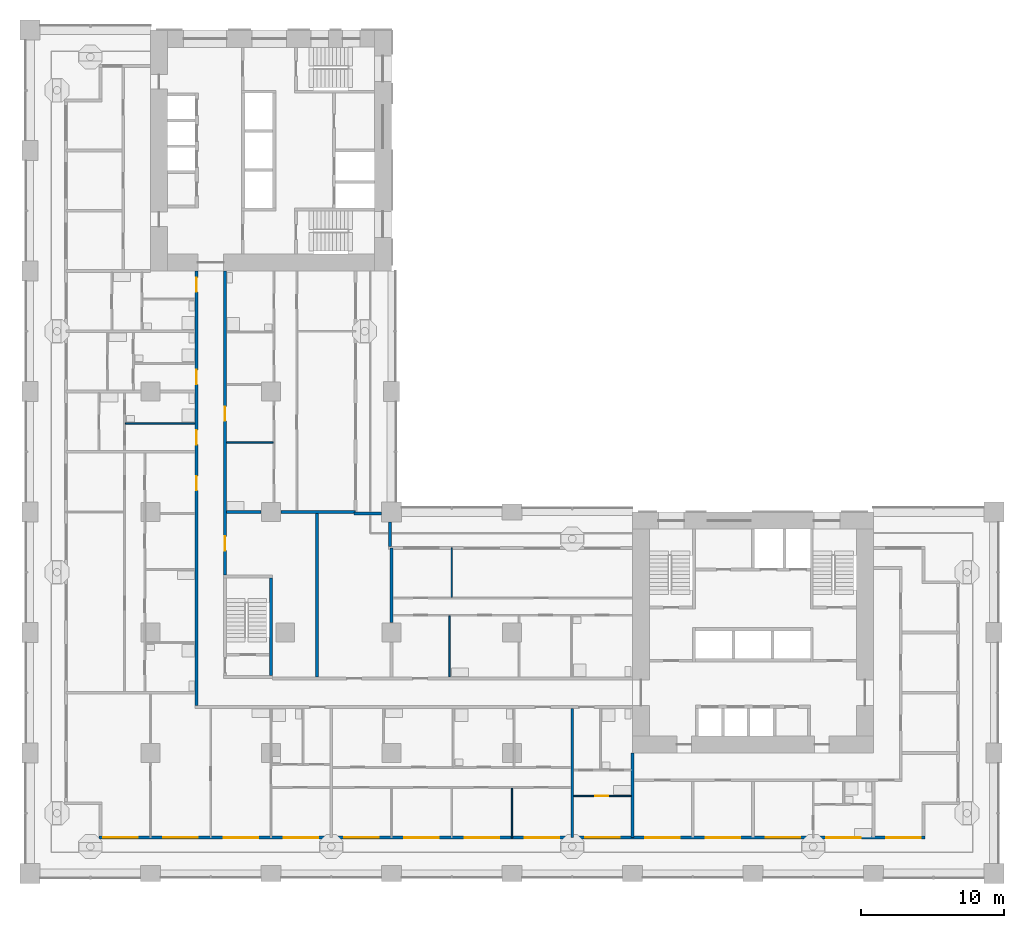
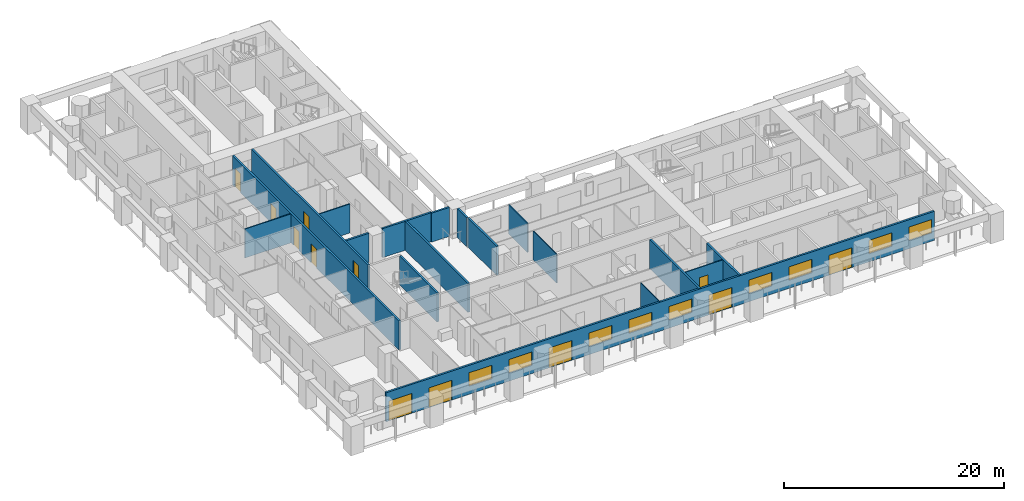
# One storey, part 4 of 19: 18 walls, 12 doors, 9 windows, 21 openings.
"""IFC4 building model written with IfcOpenShell, lengths in metres."""

from ifc_helpers import new_model, si_unit, direction, frame, frame_2d, origin, place, context, subcontext, project, spatial, rectangle, extrude, material, layer, layer_set, type_object, element, fill, save


model = new_model("IFC4")

# Units and contexts
model_context = context("Model", 3, precision=1e-05, world=origin(), true_north=direction((0.0, 1.0)))
body_context = subcontext(model_context, "Body", "Model", "MODEL_VIEW")
ifc_project = project(units=[si_unit("LENGTHUNIT", "METRE"), si_unit("AREAUNIT", "SQUARE_METRE"), si_unit("VOLUMEUNIT", "CUBIC_METRE"), si_unit("PLANEANGLEUNIT", "RADIAN"), si_unit("MASSUNIT", "GRAM", prefix="KILO")], contexts=[model_context])

# Site, building, storey
site_placement = place(None, origin())
site = spatial("IfcSite", under=ifc_project, at=site_placement, CompositionType="ELEMENT")
building_placement = place(site_placement, origin())
building = spatial("IfcBuilding", under=site, at=building_placement, Name="Vermilion Gate Residences", CompositionType="ELEMENT")
storey_placement = place(building_placement, frame((0.0, 0.0, 28.699951171875)))
storey = spatial("IfcBuildingStorey", under=building, at=storey_placement, Name="L05", CompositionType="ELEMENT", Elevation=28.699951171875)

# Wall, openings, doors, windows
ifc_material_1 = material(Name="Insulated steel stud wall with terracotta rainscreen", Category="masonry")
ifc_layer_1 = layer(ifc_material_1, 0.199951171875)
ifc_layer_set_1 = layer_set([ifc_layer_1], Name="EXTERNAL WALL 200 TERRACOTTA RAINSCREEN")
wall_type_1 = type_object("IfcWallType", Name="EXTERNAL WALL 200 TERRACOTTA RAINSCREEN", PredefinedType="SOLIDWALL", material=ifc_layer_set_1)
wall_1_placement = place(storey_placement, frame((4.800048828125, 2.5, 0.0), z_axis=(0.0, 0.0, 1.0), x_axis=(1.0, 0.0, 0.0)))
wall_1 = element("IfcWall", 1, at=wall_1_placement, inside=storey, type_object=wall_type_1, Name="External wall", PredefinedType="SOLIDWALL", context=body_context, shape_type="SweptSolid", body=[
    extrude(rectangle(XDim=57.599853515625, YDim=0.199951171875, at=frame_2d((28.7998046875, 0.0))), origin(), (0.0, 0.0, 1.0), 3.219970703125),
])
opening_1_placement = place(wall_1_placement, frame((0.300048828125, 0.0, 0.0)))
opening_1 = element("IfcOpeningElement", 2, at=opening_1_placement, cuts=wall_1, Name="Opening DE05014", PredefinedType="OPENING", context=body_context, shape_type="SweptSolid", body=[
    extrude(rectangle(XDim=2.39990234375, YDim=2.199951171875, at=frame_2d((1.199951171875, 1.10009765625))), frame((0.0, 0.10986328125, 0.0), z_axis=(0.0, -1.0, 0.0), x_axis=(1.0, 0.0, 0.0)), (0.0, 0.0, 1.0), 0.219970703125),
])
opening_2_placement = place(wall_1_placement, frame((4.5, 0.0, 0.0)))
opening_2 = element("IfcOpeningElement", 3, at=opening_2_placement, cuts=wall_1, Name="Opening DE05015", PredefinedType="OPENING", context=body_context, shape_type="SweptSolid", body=[
    extrude(rectangle(XDim=2.39990234375, YDim=2.199951171875, at=frame_2d((1.199951171875, 1.10009765625))), frame((0.0, 0.10986328125, 0.0), z_axis=(0.0, -1.0, 0.0), x_axis=(1.0, 0.0, 0.0)), (0.0, 0.0, 1.0), 0.219970703125),
])
opening_3_placement = place(wall_1_placement, frame((8.699951171875, 0.0, 0.89990234375)))
opening_3 = element("IfcOpeningElement", 4, at=opening_3_placement, cuts=wall_1, Name="Opening WE05016", PredefinedType="OPENING", context=body_context, shape_type="SweptSolid", body=[
    extrude(rectangle(XDim=2.39990234375, YDim=1.5, at=frame_2d((1.199951171875, 0.75))), frame((0.0, 0.10986328125, 0.0), z_axis=(0.0, -1.0, 0.0), x_axis=(1.0, 0.0, 0.0)), (0.0, 0.0, 1.0), 0.219970703125),
])
opening_4_placement = place(wall_1_placement, frame((12.89990234375, 0.0, 0.89990234375)))
opening_4 = element("IfcOpeningElement", 5, at=opening_4_placement, cuts=wall_1, Name="Opening WE05017", PredefinedType="OPENING", context=body_context, shape_type="SweptSolid", body=[
    extrude(rectangle(XDim=2.39990234375, YDim=1.5, at=frame_2d((1.199951171875, 0.75))), frame((0.0, 0.10986328125, 0.0), z_axis=(0.0, -1.0, 0.0), x_axis=(1.0, 0.0, 0.0)), (0.0, 0.0, 1.0), 0.219970703125),
])
opening_5_placement = place(wall_1_placement, frame((17.10009765625, 0.0, 0.0)))
opening_5 = element("IfcOpeningElement", 6, at=opening_5_placement, cuts=wall_1, Name="Opening DE05018", PredefinedType="OPENING", context=body_context, shape_type="SweptSolid", body=[
    extrude(rectangle(XDim=2.39990234375, YDim=2.199951171875, at=frame_2d((1.199951171875, 1.10009765625))), frame((0.0, 0.10986328125, 0.0), z_axis=(0.0, -1.0, 0.0), x_axis=(1.0, 0.0, 0.0)), (0.0, 0.0, 1.0), 0.219970703125),
])
opening_6_placement = place(wall_1_placement, frame((21.300048828125, 0.0, 0.89990234375)))
opening_6 = element("IfcOpeningElement", 7, at=opening_6_placement, cuts=wall_1, Name="Opening WE05019", PredefinedType="OPENING", context=body_context, shape_type="SweptSolid", body=[
    extrude(rectangle(XDim=2.39990234375, YDim=1.5, at=frame_2d((1.199951171875, 0.75))), frame((0.0, 0.10986328125, 0.0), z_axis=(0.0, -1.0, 0.0), x_axis=(1.0, 0.0, 0.0)), (0.0, 0.0, 1.0), 0.219970703125),
])
opening_7_placement = place(wall_1_placement, frame((25.5, 0.0, 0.89990234375)))
opening_7 = element("IfcOpeningElement", 8, at=opening_7_placement, cuts=wall_1, Name="Opening WE05020", PredefinedType="OPENING", context=body_context, shape_type="SweptSolid", body=[
    extrude(rectangle(XDim=2.39990234375, YDim=1.5, at=frame_2d((1.199951171875, 0.75))), frame((0.0, 0.10986328125, 0.0), z_axis=(0.0, -1.0, 0.0), x_axis=(1.0, 0.0, 0.0)), (0.0, 0.0, 1.0), 0.219970703125),
])
opening_8_placement = place(wall_1_placement, frame((29.699951171875, 0.0, 0.89990234375)))
opening_8 = element("IfcOpeningElement", 9, at=opening_8_placement, cuts=wall_1, Name="Opening WE05021", PredefinedType="OPENING", context=body_context, shape_type="SweptSolid", body=[
    extrude(rectangle(XDim=2.39990234375, YDim=1.5, at=frame_2d((1.199951171875, 0.75))), frame((0.0, 0.10986328125, 0.0), z_axis=(0.0, -1.0, 0.0), x_axis=(1.0, 0.0, 0.0)), (0.0, 0.0, 1.0), 0.219970703125),
])
opening_9_placement = place(wall_1_placement, frame((33.89990234375, 0.0, 0.0)))
opening_9 = element("IfcOpeningElement", 10, at=opening_9_placement, cuts=wall_1, Name="Opening DE05022", PredefinedType="OPENING", context=body_context, shape_type="SweptSolid", body=[
    extrude(rectangle(XDim=2.39990234375, YDim=2.199951171875, at=frame_2d((1.199951171875, 1.10009765625))), frame((0.0, 0.10986328125, 0.0), z_axis=(0.0, -1.0, 0.0), x_axis=(1.0, 0.0, 0.0)), (0.0, 0.0, 1.0), 0.219970703125),
])
opening_10_placement = place(wall_1_placement, frame((38.10009765625, 0.0, 0.89990234375)))
opening_10 = element("IfcOpeningElement", 11, at=opening_10_placement, cuts=wall_1, Name="Opening WE05023", PredefinedType="OPENING", context=body_context, shape_type="SweptSolid", body=[
    extrude(rectangle(XDim=2.39990234375, YDim=1.5, at=frame_2d((1.199951171875, 0.75))), frame((0.0, 0.10986328125, 0.0), z_axis=(0.0, -1.0, 0.0), x_axis=(1.0, 0.0, 0.0)), (0.0, 0.0, 1.0), 0.219970703125),
])
opening_11_placement = place(wall_1_placement, frame((42.300048828125, 0.0, 0.89990234375)))
opening_11 = element("IfcOpeningElement", 12, at=opening_11_placement, cuts=wall_1, Name="Opening WE05024", PredefinedType="OPENING", context=body_context, shape_type="SweptSolid", body=[
    extrude(rectangle(XDim=2.39990234375, YDim=1.5, at=frame_2d((1.199951171875, 0.75))), frame((0.0, 0.10986328125, 0.0), z_axis=(0.0, -1.0, 0.0), x_axis=(1.0, 0.0, 0.0)), (0.0, 0.0, 1.0), 0.219970703125),
])
opening_12_placement = place(wall_1_placement, frame((46.5, 0.0, 0.0)))
opening_12 = element("IfcOpeningElement", 13, at=opening_12_placement, cuts=wall_1, Name="Opening DE05025", PredefinedType="OPENING", context=body_context, shape_type="SweptSolid", body=[
    extrude(rectangle(XDim=2.39990234375, YDim=2.199951171875, at=frame_2d((1.199951171875, 1.10009765625))), frame((0.0, 0.10986328125, 0.0), z_axis=(0.0, -1.0, 0.0), x_axis=(1.0, 0.0, 0.0)), (0.0, 0.0, 1.0), 0.219970703125),
])
opening_13_placement = place(wall_1_placement, frame((50.699951171875, 0.0, 0.89990234375)))
opening_13 = element("IfcOpeningElement", 14, at=opening_13_placement, cuts=wall_1, Name="Opening WE05026", PredefinedType="OPENING", context=body_context, shape_type="SweptSolid", body=[
    extrude(rectangle(XDim=2.39990234375, YDim=1.5, at=frame_2d((1.199951171875, 0.75))), frame((0.0, 0.10986328125, 0.0), z_axis=(0.0, -1.0, 0.0), x_axis=(1.0, 0.0, 0.0)), (0.0, 0.0, 1.0), 0.219970703125),
])
opening_14_placement = place(wall_1_placement, frame((54.89990234375, 0.0, 0.89990234375)))
opening_14 = element("IfcOpeningElement", 15, at=opening_14_placement, cuts=wall_1, Name="Opening WE05027", PredefinedType="OPENING", context=body_context, shape_type="SweptSolid", body=[
    extrude(rectangle(XDim=2.39990234375, YDim=1.5, at=frame_2d((1.199951171875, 0.75))), frame((0.0, 0.10986328125, 0.0), z_axis=(0.0, -1.0, 0.0), x_axis=(1.0, 0.0, 0.0)), (0.0, 0.0, 1.0), 0.219970703125),
])
ifc_material_2 = material(Name="Aluminium and clear glass", Category="aluminium")
door_type_1 = type_object("IfcDoorType", Name="SLIDING GLAZED DOOR 2400 X 2200", OperationType="DOUBLE_DOOR_SLIDING", PredefinedType="DOOR", material=ifc_material_2)
door_1_placement = place(opening_1_placement, origin())
door_1 = element("IfcDoor", 16, at=door_1_placement, inside=storey, type_object=door_type_1, Name="Loggia sliding door", OperationType="DOUBLE_DOOR_SLIDING", OverallHeight=2.199951171875, OverallWidth=2.39990234375, PredefinedType="DOOR", context=body_context, shape_type="SweptSolid", body=[
    extrude(rectangle(XDim=2.39990234375, YDim=2.199951171875, at=frame_2d((1.199951171875, 1.10009765625))), frame((0.0, 0.02490234375, 0.0), z_axis=(0.0, -1.0, 0.0), x_axis=(1.0, 0.0, 0.0)), (0.0, 0.0, 1.0), 0.050048828125),
])
fill(opening_1, door_1)
door_2_placement = place(opening_2_placement, origin())
door_2 = element("IfcDoor", 17, at=door_2_placement, inside=storey, type_object=door_type_1, Name="Loggia sliding door", OperationType="DOUBLE_DOOR_SLIDING", OverallHeight=2.199951171875, OverallWidth=2.39990234375, PredefinedType="DOOR", context=body_context, shape_type="SweptSolid", body=[
    extrude(rectangle(XDim=2.39990234375, YDim=2.199951171875, at=frame_2d((1.199951171875, 1.10009765625))), frame((0.0, 0.02490234375, 0.0), z_axis=(0.0, -1.0, 0.0), x_axis=(1.0, 0.0, 0.0)), (0.0, 0.0, 1.0), 0.050048828125),
])
fill(opening_2, door_2)
door_3_placement = place(opening_5_placement, origin())
door_3 = element("IfcDoor", 18, at=door_3_placement, inside=storey, type_object=door_type_1, Name="Loggia sliding door", OperationType="DOUBLE_DOOR_SLIDING", OverallHeight=2.199951171875, OverallWidth=2.39990234375, PredefinedType="DOOR", context=body_context, shape_type="SweptSolid", body=[
    extrude(rectangle(XDim=2.39990234375, YDim=2.199951171875, at=frame_2d((1.199951171875, 1.10009765625))), frame((0.0, 0.02490234375, 0.0), z_axis=(0.0, -1.0, 0.0), x_axis=(1.0, 0.0, 0.0)), (0.0, 0.0, 1.0), 0.050048828125),
])
fill(opening_5, door_3)
door_4_placement = place(opening_9_placement, origin())
door_4 = element("IfcDoor", 19, at=door_4_placement, inside=storey, type_object=door_type_1, Name="Loggia sliding door", OperationType="DOUBLE_DOOR_SLIDING", OverallHeight=2.199951171875, OverallWidth=2.39990234375, PredefinedType="DOOR", context=body_context, shape_type="SweptSolid", body=[
    extrude(rectangle(XDim=2.39990234375, YDim=2.199951171875, at=frame_2d((1.199951171875, 1.10009765625))), frame((0.0, 0.02490234375, 0.0), z_axis=(0.0, -1.0, 0.0), x_axis=(1.0, 0.0, 0.0)), (0.0, 0.0, 1.0), 0.050048828125),
])
fill(opening_9, door_4)
door_5_placement = place(opening_12_placement, origin())
door_5 = element("IfcDoor", 20, at=door_5_placement, inside=storey, type_object=door_type_1, Name="Loggia sliding door", OperationType="DOUBLE_DOOR_SLIDING", OverallHeight=2.199951171875, OverallWidth=2.39990234375, PredefinedType="DOOR", context=body_context, shape_type="SweptSolid", body=[
    extrude(rectangle(XDim=2.39990234375, YDim=2.199951171875, at=frame_2d((1.199951171875, 1.10009765625))), frame((0.0, 0.02490234375, 0.0), z_axis=(0.0, -1.0, 0.0), x_axis=(1.0, 0.0, 0.0)), (0.0, 0.0, 1.0), 0.050048828125),
])
fill(opening_12, door_5)
ifc_material_3 = material(Name="Aluminium and clear glass", Category="aluminium")
window_type = type_object("IfcWindowType", Name="WINDOW 2400 X 1500", PartitioningType="SINGLE_PANEL", PredefinedType="WINDOW", material=ifc_material_3)
window_1_placement = place(opening_3_placement, origin())
window_1 = element("IfcWindow", 21, at=window_1_placement, inside=storey, type_object=window_type, Name="Window", OverallHeight=1.5, OverallWidth=2.39990234375, PartitioningType="SINGLE_PANEL", PredefinedType="WINDOW", context=body_context, shape_type="SweptSolid", body=[
    extrude(rectangle(XDim=2.39990234375, YDim=1.5, at=frame_2d((1.199951171875, 0.75))), frame((0.0, 0.030029296875, 0.0), z_axis=(0.0, -1.0, 0.0), x_axis=(1.0, 0.0, 0.0)), (0.0, 0.0, 1.0), 0.06005859375),
])
fill(opening_3, window_1)
window_2_placement = place(opening_4_placement, origin())
window_2 = element("IfcWindow", 22, at=window_2_placement, inside=storey, type_object=window_type, Name="Window", OverallHeight=1.5, OverallWidth=2.39990234375, PartitioningType="SINGLE_PANEL", PredefinedType="WINDOW", context=body_context, shape_type="SweptSolid", body=[
    extrude(rectangle(XDim=2.39990234375, YDim=1.5, at=frame_2d((1.199951171875, 0.75))), frame((0.0, 0.030029296875, 0.0), z_axis=(0.0, -1.0, 0.0), x_axis=(1.0, 0.0, 0.0)), (0.0, 0.0, 1.0), 0.06005859375),
])
fill(opening_4, window_2)
window_3_placement = place(opening_6_placement, origin())
window_3 = element("IfcWindow", 23, at=window_3_placement, inside=storey, type_object=window_type, Name="Window", OverallHeight=1.5, OverallWidth=2.39990234375, PartitioningType="SINGLE_PANEL", PredefinedType="WINDOW", context=body_context, shape_type="SweptSolid", body=[
    extrude(rectangle(XDim=2.39990234375, YDim=1.5, at=frame_2d((1.199951171875, 0.75))), frame((0.0, 0.030029296875, 0.0), z_axis=(0.0, -1.0, 0.0), x_axis=(1.0, 0.0, 0.0)), (0.0, 0.0, 1.0), 0.06005859375),
])
fill(opening_6, window_3)
window_4_placement = place(opening_7_placement, origin())
window_4 = element("IfcWindow", 24, at=window_4_placement, inside=storey, type_object=window_type, Name="Window", OverallHeight=1.5, OverallWidth=2.39990234375, PartitioningType="SINGLE_PANEL", PredefinedType="WINDOW", context=body_context, shape_type="SweptSolid", body=[
    extrude(rectangle(XDim=2.39990234375, YDim=1.5, at=frame_2d((1.199951171875, 0.75))), frame((0.0, 0.030029296875, 0.0), z_axis=(0.0, -1.0, 0.0), x_axis=(1.0, 0.0, 0.0)), (0.0, 0.0, 1.0), 0.06005859375),
])
fill(opening_7, window_4)
window_5_placement = place(opening_8_placement, origin())
window_5 = element("IfcWindow", 25, at=window_5_placement, inside=storey, type_object=window_type, Name="Window", OverallHeight=1.5, OverallWidth=2.39990234375, PartitioningType="SINGLE_PANEL", PredefinedType="WINDOW", context=body_context, shape_type="SweptSolid", body=[
    extrude(rectangle(XDim=2.39990234375, YDim=1.5, at=frame_2d((1.199951171875, 0.75))), frame((0.0, 0.030029296875, 0.0), z_axis=(0.0, -1.0, 0.0), x_axis=(1.0, 0.0, 0.0)), (0.0, 0.0, 1.0), 0.06005859375),
])
fill(opening_8, window_5)
window_6_placement = place(opening_10_placement, origin())
window_6 = element("IfcWindow", 26, at=window_6_placement, inside=storey, type_object=window_type, Name="Window", OverallHeight=1.5, OverallWidth=2.39990234375, PartitioningType="SINGLE_PANEL", PredefinedType="WINDOW", context=body_context, shape_type="SweptSolid", body=[
    extrude(rectangle(XDim=2.39990234375, YDim=1.5, at=frame_2d((1.199951171875, 0.75))), frame((0.0, 0.030029296875, 0.0), z_axis=(0.0, -1.0, 0.0), x_axis=(1.0, 0.0, 0.0)), (0.0, 0.0, 1.0), 0.06005859375),
])
fill(opening_10, window_6)
window_7_placement = place(opening_11_placement, origin())
window_7 = element("IfcWindow", 27, at=window_7_placement, inside=storey, type_object=window_type, Name="Window", OverallHeight=1.5, OverallWidth=2.39990234375, PartitioningType="SINGLE_PANEL", PredefinedType="WINDOW", context=body_context, shape_type="SweptSolid", body=[
    extrude(rectangle(XDim=2.39990234375, YDim=1.5, at=frame_2d((1.199951171875, 0.75))), frame((0.0, 0.030029296875, 0.0), z_axis=(0.0, -1.0, 0.0), x_axis=(1.0, 0.0, 0.0)), (0.0, 0.0, 1.0), 0.06005859375),
])
fill(opening_11, window_7)
window_8_placement = place(opening_13_placement, origin())
window_8 = element("IfcWindow", 28, at=window_8_placement, inside=storey, type_object=window_type, Name="Window", OverallHeight=1.5, OverallWidth=2.39990234375, PartitioningType="SINGLE_PANEL", PredefinedType="WINDOW", context=body_context, shape_type="SweptSolid", body=[
    extrude(rectangle(XDim=2.39990234375, YDim=1.5, at=frame_2d((1.199951171875, 0.75))), frame((0.0, 0.030029296875, 0.0), z_axis=(0.0, -1.0, 0.0), x_axis=(1.0, 0.0, 0.0)), (0.0, 0.0, 1.0), 0.06005859375),
])
fill(opening_13, window_8)
window_9_placement = place(opening_14_placement, origin())
window_9 = element("IfcWindow", 29, at=window_9_placement, inside=storey, type_object=window_type, Name="Window", OverallHeight=1.5, OverallWidth=2.39990234375, PartitioningType="SINGLE_PANEL", PredefinedType="WINDOW", context=body_context, shape_type="SweptSolid", body=[
    extrude(rectangle(XDim=2.39990234375, YDim=1.5, at=frame_2d((1.199951171875, 0.75))), frame((0.0, 0.030029296875, 0.0), z_axis=(0.0, -1.0, 0.0), x_axis=(1.0, 0.0, 0.0)), (0.0, 0.0, 1.0), 0.06005859375),
])
fill(opening_14, window_9)

# Walls
wall_2_placement = place(storey_placement, frame((25.10009765625, 22.800048828125, 0.0), z_axis=(0.0, 0.0, 1.0), x_axis=(0.0, 1.0, 0.0)))
element("IfcWall", 30, at=wall_2_placement, inside=storey, type_object=wall_type_1, Name="External wall", PredefinedType="SOLIDWALL", context=body_context, shape_type="SweptSolid", body=[
    extrude(rectangle(XDim=1.699951171875, YDim=0.199951171875, at=frame_2d((0.85009765625, 0.0))), origin(), (0.0, 0.0, 1.0), 3.219970703125),
])
wall_3_placement = place(storey_placement, frame((24.5, 25.10009765625, 0.0), z_axis=(0.0, 0.0, 1.0), x_axis=(-1.0, 0.0, 0.0)))
element("IfcWall", 31, at=wall_3_placement, inside=storey, type_object=wall_type_1, Name="External wall", PredefinedType="SOLIDWALL", context=body_context, shape_type="SweptSolid", body=[
    extrude(rectangle(XDim=1.89990234375, YDim=0.199951171875, at=frame_2d((0.949951171875, 0.0))), origin(), (0.0, 0.0, 1.0), 3.219970703125),
])

# Wall, opening, door
ifc_material_4 = material(Name="Plasterboard on steel studs", Category="steel")
ifc_layer_2 = layer(ifc_material_4, 0.10009765625)
ifc_layer_set_2 = layer_set([ifc_layer_2], Name="PARTITION 100")
wall_type_2 = type_object("IfcWallType", Name="PARTITION 100", PredefinedType="PARTITIONING", material=ifc_layer_set_2)
wall_4_placement = place(storey_placement, frame((37.89990234375, 5.39990234375, 0.0), z_axis=(0.0, 0.0, 1.0), x_axis=(1.0, 0.0, 0.0)))
wall_4 = element("IfcWall", 32, at=wall_4_placement, inside=storey, type_object=wall_type_2, Name="Partition", PredefinedType="PARTITIONING", context=body_context, shape_type="SweptSolid", body=[
    extrude(rectangle(XDim=4.0, YDim=0.10009765625, at=frame_2d((2.0, 0.0))), origin(), (0.0, 0.0, 1.0), 3.219970703125),
])
opening_15_placement = place(wall_4_placement, frame((1.5, 0.0, 0.0)))
opening_15 = element("IfcOpeningElement", 33, at=opening_15_placement, cuts=wall_4, Name="Opening DA04003", PredefinedType="OPENING", context=body_context, shape_type="SweptSolid", body=[
    extrude(rectangle(XDim=0.89990234375, YDim=2.10009765625, at=frame_2d((0.449951171875, 1.050048828125))), frame((0.0, 0.06005859375, 0.0), z_axis=(0.0, -1.0, 0.0), x_axis=(1.0, 0.0, 0.0)), (0.0, 0.0, 1.0), 0.1201171875),
])
ifc_material_5 = material(Name="Timber", Category="wood")
door_type_2 = type_object("IfcDoorType", Name="INTERIOR DOOR 900 X 2100", OperationType="SINGLE_SWING_LEFT", PredefinedType="DOOR", material=ifc_material_5)
door_6_placement = place(opening_15_placement, origin())
door_6 = element("IfcDoor", 34, at=door_6_placement, inside=storey, type_object=door_type_2, Name="Interior door", OperationType="SINGLE_SWING_RIGHT", OverallHeight=2.10009765625, OverallWidth=0.89990234375, PredefinedType="DOOR", context=body_context, shape_type="SweptSolid", body=[
    extrude(rectangle(XDim=0.89990234375, YDim=2.10009765625, at=frame_2d((0.449951171875, 1.050048828125))), frame((0.0, 0.02490234375, 0.0), z_axis=(0.0, -1.0, 0.0), x_axis=(1.0, 0.0, 0.0)), (0.0, 0.0, 1.0), 0.050048828125),
])
fill(opening_15, door_6)

# Walls
wall_5_placement = place(storey_placement, frame((13.699951171875, 30.050048828125, 0.0), z_axis=(0.0, 0.0, 1.0), x_axis=(1.0, 0.0, 0.0)))
element("IfcWall", 35, at=wall_5_placement, inside=storey, type_object=wall_type_2, Name="Partition", PredefinedType="PARTITIONING", context=body_context, shape_type="SweptSolid", body=[
    extrude(rectangle(XDim=3.25, YDim=0.10009765625, at=frame_2d((1.625, 0.0))), origin(), (0.0, 0.0, 1.0), 3.219970703125),
])
wall_6_placement = place(storey_placement, frame((6.64990234375, 31.360107421875, 0.0), z_axis=(0.0, 0.0, 1.0), x_axis=(1.0, 0.0, 0.0)))
element("IfcWall", 36, at=wall_6_placement, inside=storey, type_object=wall_type_2, Name="Partition", PredefinedType="PARTITIONING", context=body_context, shape_type="SweptSolid", body=[
    extrude(rectangle(XDim=4.85009765625, YDim=0.10009765625, at=frame_2d((2.425048828125, 0.0))), origin(), (0.0, 0.0, 1.0), 3.219970703125),
])
wall_7_placement = place(storey_placement, frame((29.25, 13.699951171875, 0.0), z_axis=(0.0, 0.0, 1.0), x_axis=(0.0, 1.0, 0.0)))
element("IfcWall", 37, at=wall_7_placement, inside=storey, type_object=wall_type_2, Name="Partition", PredefinedType="PARTITIONING", context=body_context, shape_type="SweptSolid", body=[
    extrude(rectangle(XDim=4.25, YDim=0.10009765625, at=frame_2d((2.125, 0.0))), origin(), (0.0, 0.0, 1.0), 3.219970703125),
])
for number, where, z_axis, x_axis, name in (
    (38, (29.39990234375, 19.25, 0.0), (0.0, 0.0, 1.0), (0.0, 1.0, 0.0), "Partition"),
    (39, (33.60009765625, 2.5, 0.0), (0.0, 0.0, 1.0), (0.0, 1.0, 0.0), "Partition"),
):
    element("IfcWall", number, at=place(storey_placement, frame(where, z_axis=z_axis, x_axis=x_axis)), inside=storey, type_object=wall_type_2, Name=name, PredefinedType="PARTITIONING", context=body_context, shape_type="SweptSolid", body=[
        extrude(rectangle(XDim=3.449951171875, YDim=0.10009765625, at=frame_2d((1.72509765625, 0.0))), origin(), (0.0, 0.0, 1.0), 3.219970703125),
    ])
ifc_material_6 = material(Name="Fire-rated plasterboard on steel studs", Category="steel")
ifc_layer_3 = layer(ifc_material_6, 0.199951171875)
ifc_layer_set_3 = layer_set([ifc_layer_3], Name="PARTY WALL 200 EI 120")
wall_type_3 = type_object("IfcWallType", Name="PARTY WALL 200 EI 120", PredefinedType="PARTITIONING", material=ifc_layer_set_3)
wall_8_placement = place(storey_placement, frame((13.699951171875, 25.199951171875, 0.0), z_axis=(0.0, 0.0, 1.0), x_axis=(1.0, 0.0, 0.0)))
element("IfcWall", 40, at=wall_8_placement, inside=storey, type_object=wall_type_3, Name="Party and corridor wall", PredefinedType="PARTITIONING", context=body_context, shape_type="SweptSolid", body=[
    extrude(rectangle(XDim=2.400146484375, YDim=0.199951171875, at=frame_2d((1.2001953125, 0.0))), origin(), (0.0, 0.0, 1.0), 3.219970703125),
])
wall_9_placement = place(storey_placement, frame((17.5, 25.199951171875, 0.0), z_axis=(0.0, 0.0, 1.0), x_axis=(1.0, 0.0, 0.0)))
element("IfcWall", 41, at=wall_9_placement, inside=storey, type_object=wall_type_3, Name="Party and corridor wall", PredefinedType="PARTITIONING", context=body_context, shape_type="SweptSolid", body=[
    extrude(rectangle(XDim=5.199951171875, YDim=0.199951171875, at=frame_2d((2.60009765625, 0.0))), origin(), (0.0, 0.0, 1.0), 3.219970703125),
])

# Wall, openings, doors
wall_10_placement = place(storey_placement, frame((11.60009765625, 11.699951171875, 0.0), z_axis=(0.0, 0.0, 1.0), x_axis=(0.0, 1.0, 0.0)))
wall_10 = element("IfcWall", 42, at=wall_10_placement, inside=storey, type_object=wall_type_3, Name="Party and corridor wall", PredefinedType="PARTITIONING", context=body_context, shape_type="SweptSolid", body=[
    extrude(rectangle(XDim=30.300048828125, YDim=0.199951171875, at=frame_2d((15.14990234375, 0.0))), origin(), (0.0, 0.0, 1.0), 3.219970703125),
])
opening_16_placement = place(wall_10_placement, frame((15.0, 0.0, 0.0)))
opening_16 = element("IfcOpeningElement", 43, at=opening_16_placement, cuts=wall_10, Name="Opening DA04051", PredefinedType="OPENING", context=body_context, shape_type="SweptSolid", body=[
    extrude(rectangle(XDim=1.0, YDim=2.10009765625, at=frame_2d((0.5, 1.050048828125))), frame((0.0, 0.10986328125, 0.0), z_axis=(0.0, -1.0, 0.0), x_axis=(1.0, 0.0, 0.0)), (0.0, 0.0, 1.0), 0.219970703125),
])
opening_17_placement = place(wall_10_placement, frame((18.199951171875, 0.0, 0.0)))
opening_17 = element("IfcOpeningElement", 44, at=opening_17_placement, cuts=wall_10, Name="Opening DA04052", PredefinedType="OPENING", context=body_context, shape_type="SweptSolid", body=[
    extrude(rectangle(XDim=1.0, YDim=2.10009765625, at=frame_2d((0.5, 1.050048828125))), frame((0.0, 0.10986328125, 0.0), z_axis=(0.0, -1.0, 0.0), x_axis=(1.0, 0.0, 0.0)), (0.0, 0.0, 1.0), 0.219970703125),
])
opening_18_placement = place(wall_10_placement, frame((22.39990234375, 0.0, 0.0)))
opening_18 = element("IfcOpeningElement", 45, at=opening_18_placement, cuts=wall_10, Name="Opening DA04053", PredefinedType="OPENING", context=body_context, shape_type="SweptSolid", body=[
    extrude(rectangle(XDim=1.0, YDim=2.10009765625, at=frame_2d((0.5, 1.050048828125))), frame((0.0, 0.10986328125, 0.0), z_axis=(0.0, -1.0, 0.0), x_axis=(1.0, 0.0, 0.0)), (0.0, 0.0, 1.0), 0.219970703125),
])
opening_19_placement = place(wall_10_placement, frame((28.840087890625, 0.0, 0.0)))
opening_19 = element("IfcOpeningElement", 46, at=opening_19_placement, cuts=wall_10, Name="Opening DA04054", PredefinedType="OPENING", context=body_context, shape_type="SweptSolid", body=[
    extrude(rectangle(XDim=1.0, YDim=2.10009765625, at=frame_2d((0.5, 1.050048828125))), frame((0.0, 0.10986328125, 0.0), z_axis=(0.0, -1.0, 0.0), x_axis=(1.0, 0.0, 0.0)), (0.0, 0.0, 1.0), 0.219970703125),
])
ifc_material_7 = material(Name="Steel", Category="steel")
door_type_3 = type_object("IfcDoorType", Name="ENTRANCE DOOR 1000 X 2100 FD30", OperationType="SINGLE_SWING_LEFT", PredefinedType="DOOR", material=ifc_material_7)
door_7_placement = place(opening_16_placement, origin())
door_7 = element("IfcDoor", 47, at=door_7_placement, inside=storey, type_object=door_type_3, Name="Entrance door", OperationType="SINGLE_SWING_LEFT", OverallHeight=2.10009765625, OverallWidth=1.0, PredefinedType="DOOR", context=body_context, shape_type="SweptSolid", body=[
    extrude(rectangle(XDim=1.0, YDim=2.10009765625, at=frame_2d((0.5, 1.050048828125))), frame((0.0, 0.02490234375, 0.0), z_axis=(0.0, -1.0, 0.0), x_axis=(1.0, 0.0, 0.0)), (0.0, 0.0, 1.0), 0.050048828125),
])
fill(opening_16, door_7)
door_8_placement = place(opening_17_placement, origin())
door_8 = element("IfcDoor", 48, at=door_8_placement, inside=storey, type_object=door_type_3, Name="Entrance door", OperationType="SINGLE_SWING_LEFT", OverallHeight=2.10009765625, OverallWidth=1.0, PredefinedType="DOOR", context=body_context, shape_type="SweptSolid", body=[
    extrude(rectangle(XDim=1.0, YDim=2.10009765625, at=frame_2d((0.5, 1.050048828125))), frame((0.0, 0.02490234375, 0.0), z_axis=(0.0, -1.0, 0.0), x_axis=(1.0, 0.0, 0.0)), (0.0, 0.0, 1.0), 0.050048828125),
])
fill(opening_17, door_8)
door_9_placement = place(opening_18_placement, origin())
door_9 = element("IfcDoor", 49, at=door_9_placement, inside=storey, type_object=door_type_3, Name="Entrance door", OperationType="SINGLE_SWING_LEFT", OverallHeight=2.10009765625, OverallWidth=1.0, PredefinedType="DOOR", context=body_context, shape_type="SweptSolid", body=[
    extrude(rectangle(XDim=1.0, YDim=2.10009765625, at=frame_2d((0.5, 1.050048828125))), frame((0.0, 0.02490234375, 0.0), z_axis=(0.0, -1.0, 0.0), x_axis=(1.0, 0.0, 0.0)), (0.0, 0.0, 1.0), 0.050048828125),
])
fill(opening_18, door_9)
door_10_placement = place(opening_19_placement, origin())
door_10 = element("IfcDoor", 50, at=door_10_placement, inside=storey, type_object=door_type_3, Name="Entrance door", OperationType="SINGLE_SWING_LEFT", OverallHeight=2.10009765625, OverallWidth=1.0, PredefinedType="DOOR", context=body_context, shape_type="SweptSolid", body=[
    extrude(rectangle(XDim=1.0, YDim=2.10009765625, at=frame_2d((0.5, 1.050048828125))), frame((0.0, 0.02490234375, 0.0), z_axis=(0.0, -1.0, 0.0), x_axis=(1.0, 0.0, 0.0)), (0.0, 0.0, 1.0), 0.050048828125),
])
fill(opening_19, door_10)

wall_11_placement = place(storey_placement, frame((13.60009765625, 20.800048828125, 0.0), z_axis=(0.0, 0.0, 1.0), x_axis=(0.0, 1.0, 0.0)))
wall_11 = element("IfcWall", 51, at=wall_11_placement, inside=storey, type_object=wall_type_3, Name="Party and corridor wall", PredefinedType="PARTITIONING", context=body_context, shape_type="SweptSolid", body=[
    extrude(rectangle(XDim=21.199951171875, YDim=0.199951171875, at=frame_2d((10.60009765625, 0.0))), origin(), (0.0, 0.0, 1.0), 3.219970703125),
])
opening_20_placement = place(wall_11_placement, frame((10.75, 0.0, 0.0)))
opening_20 = element("IfcOpeningElement", 52, at=opening_20_placement, cuts=wall_11, Name="Opening DA04056", PredefinedType="OPENING", context=body_context, shape_type="SweptSolid", body=[
    extrude(rectangle(XDim=1.0, YDim=2.10009765625, at=frame_2d((0.5, 1.050048828125))), frame((0.0, 0.10986328125, 0.0), z_axis=(0.0, -1.0, 0.0), x_axis=(1.0, 0.0, 0.0)), (0.0, 0.0, 1.0), 0.219970703125),
])
opening_21_placement = place(wall_11_placement, frame((1.699951171875, 0.0, 0.0)))
opening_21 = element("IfcOpeningElement", 53, at=opening_21_placement, cuts=wall_11, Name="Opening DA04057", PredefinedType="OPENING", context=body_context, shape_type="SweptSolid", body=[
    extrude(rectangle(XDim=1.0, YDim=2.10009765625, at=frame_2d((0.5, 1.050048828125))), frame((0.0, 0.10986328125, 0.0), z_axis=(0.0, -1.0, 0.0), x_axis=(1.0, 0.0, 0.0)), (0.0, 0.0, 1.0), 0.219970703125),
])
door_11_placement = place(opening_20_placement, frame((1.0, 0.0, 0.0), z_axis=(0.0, 0.0, 1.0), x_axis=(-1.0, 0.0, 0.0)))
door_11 = element("IfcDoor", 54, at=door_11_placement, inside=storey, type_object=door_type_3, Name="Entrance door", OperationType="SINGLE_SWING_RIGHT", OverallHeight=2.10009765625, OverallWidth=1.0, PredefinedType="DOOR", context=body_context, shape_type="SweptSolid", body=[
    extrude(rectangle(XDim=1.0, YDim=2.10009765625, at=frame_2d((0.5, 1.050048828125))), frame((0.0, 0.02490234375, 0.0), z_axis=(0.0, -1.0, 0.0), x_axis=(1.0, 0.0, 0.0)), (0.0, 0.0, 1.0), 0.050048828125),
])
fill(opening_20, door_11)
door_12_placement = place(opening_21_placement, frame((1.0, 0.0, 0.0), z_axis=(0.0, 0.0, 1.0), x_axis=(-1.0, 0.0, 0.0)))
door_12 = element("IfcDoor", 55, at=door_12_placement, inside=storey, type_object=door_type_3, Name="Entrance door", OperationType="SINGLE_SWING_LEFT", OverallHeight=2.10009765625, OverallWidth=1.0, PredefinedType="DOOR", context=body_context, shape_type="SweptSolid", body=[
    extrude(rectangle(XDim=1.0, YDim=2.10009765625, at=frame_2d((0.5, 1.050048828125))), frame((0.0, 0.02490234375, 0.0), z_axis=(0.0, -1.0, 0.0), x_axis=(1.0, 0.0, 0.0)), (0.0, 0.0, 1.0), 0.050048828125),
])
fill(opening_21, door_12)

# Walls
wall_12_placement = place(storey_placement, frame((20.0, 13.699951171875, 0.0), z_axis=(0.0, 0.0, 1.0), x_axis=(0.0, 1.0, 0.0)))
element("IfcWall", 56, at=wall_12_placement, inside=storey, type_object=wall_type_3, Name="Party and corridor wall", PredefinedType="PARTITIONING", context=body_context, shape_type="SweptSolid", body=[
    extrude(rectangle(XDim=11.400146484375, YDim=0.199951171875, at=frame_2d((5.7001953125, 0.0))), origin(), (0.0, 0.0, 1.0), 3.219970703125),
])
wall_13_placement = place(storey_placement, frame((25.199951171875, 17.5, 0.0), z_axis=(0.0, 0.0, 1.0), x_axis=(0.0, 1.0, 0.0)))
element("IfcWall", 57, at=wall_13_placement, inside=storey, type_object=wall_type_3, Name="Party and corridor wall", PredefinedType="PARTITIONING", context=body_context, shape_type="SweptSolid", body=[
    extrude(rectangle(XDim=5.199951171875, YDim=0.199951171875, at=frame_2d((2.60009765625, 0.0))), origin(), (0.0, 0.0, 1.0), 3.219970703125),
])
wall_14_placement = place(storey_placement, frame((37.800048828125, 2.5, 0.0), z_axis=(0.0, 0.0, 1.0), x_axis=(0.0, 1.0, 0.0)))
element("IfcWall", 58, at=wall_14_placement, inside=storey, type_object=wall_type_3, Name="Party and corridor wall", PredefinedType="PARTITIONING", context=body_context, shape_type="SweptSolid", body=[
    extrude(rectangle(XDim=9.0, YDim=0.199951171875, at=frame_2d((4.5, 0.0))), origin(), (0.0, 0.0, 1.0), 3.219970703125),
])
wall_15_placement = place(storey_placement, frame((42.0, 2.5, 0.0), z_axis=(0.0, 0.0, 1.0), x_axis=(0.0, 1.0, 0.0)))
element("IfcWall", 59, at=wall_15_placement, inside=storey, type_object=wall_type_3, Name="Party and corridor wall", PredefinedType="PARTITIONING", context=body_context, shape_type="SweptSolid", body=[
    extrude(rectangle(XDim=5.89990234375, YDim=0.199951171875, at=frame_2d((2.949951171875, 0.0))), origin(), (0.0, 0.0, 1.0), 3.219970703125),
])
ifc_material_8 = material(Name="Concrete C60", Category="concrete")
ifc_layer_4 = layer(ifc_material_8, 0.199951171875)
ifc_layer_set_4 = layer_set([ifc_layer_4], Name="RC CORE INTERNAL WALL 200 C60")
wall_type_4 = type_object("IfcWallType", Name="RC CORE INTERNAL WALL 200 C60", PredefinedType="SHEAR", material=ifc_layer_set_4)
wall_16_placement = place(storey_placement, frame((16.800048828125, 13.800048828125, 0.0), z_axis=(0.0, 0.0, 1.0), x_axis=(0.0, 1.0, 0.0)))
element("IfcWall", 60, at=wall_16_placement, inside=storey, type_object=wall_type_4, Name="Core internal wall C05-E", PredefinedType="SHEAR", context=body_context, shape_type="SweptSolid", body=[
    extrude(rectangle(XDim=6.800048828125, YDim=0.199951171875, at=frame_2d((3.39990234375, 0.0))), origin(), (0.0, 0.0, 1.0), 3.219970703125),
])

save(model, "model.ifc")
